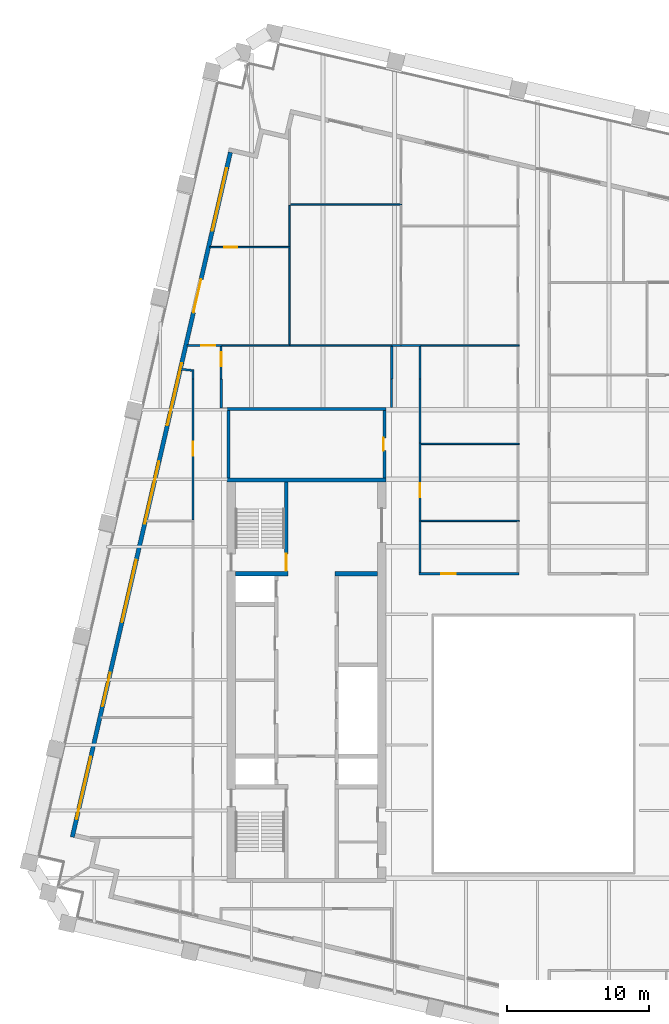
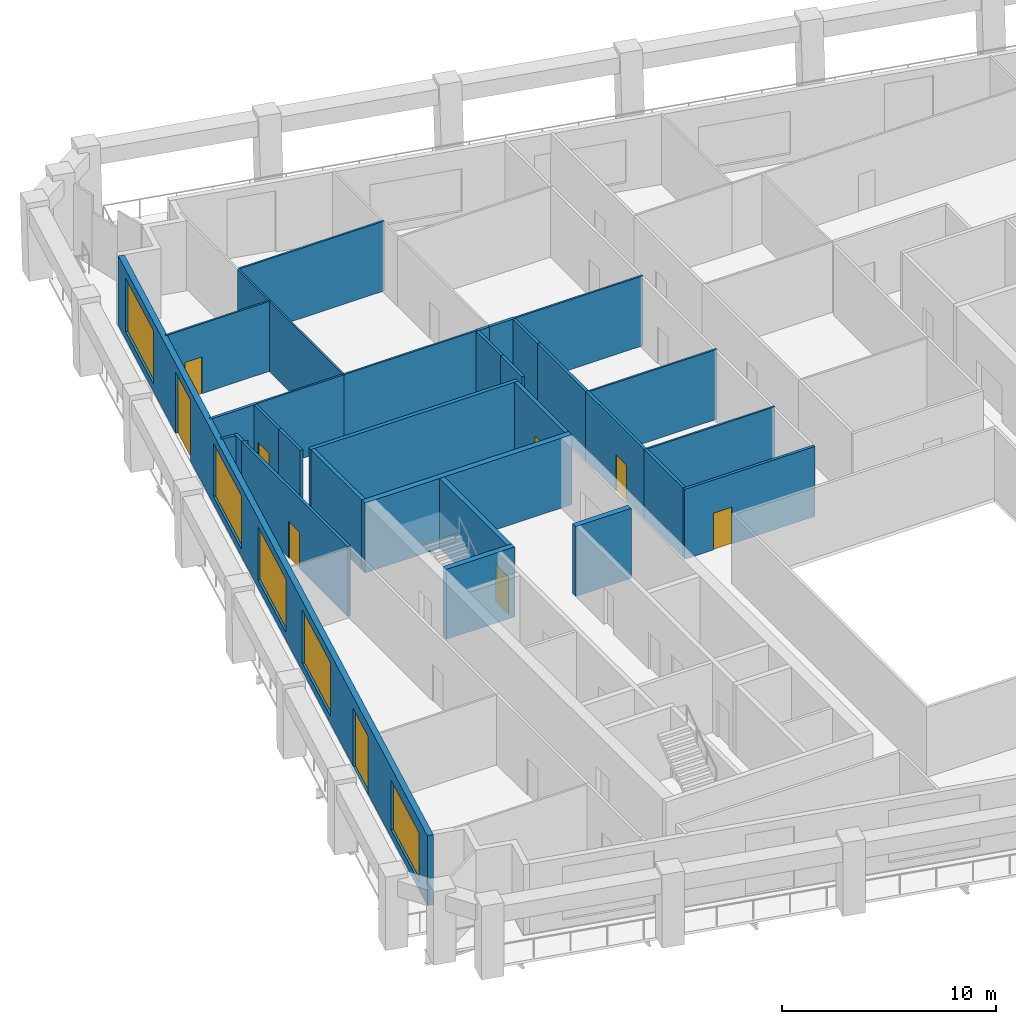
# One storey, part 7 of 10: 32 walls, 10 doors, 5 windows, 15 openings.
"""IFC4 building model written with IfcOpenShell, lengths in metres."""

from ifc_helpers import new_model, si_unit, direction, frame, frame_2d, origin, place, context, subcontext, project, spatial, rectangle, extrude, material, layer, layer_set, type_object, element, fill, save


model = new_model("IFC4")

# Units and contexts
model_context = context("Model", 3, precision=1e-05, world=origin(), true_north=direction((0.0, 1.0)))
body_context = subcontext(model_context, "Body", "Model", "MODEL_VIEW")
ifc_project = project(units=[si_unit("LENGTHUNIT", "METRE"), si_unit("AREAUNIT", "SQUARE_METRE"), si_unit("VOLUMEUNIT", "CUBIC_METRE"), si_unit("PLANEANGLEUNIT", "RADIAN"), si_unit("MASSUNIT", "GRAM", prefix="KILO")], contexts=[model_context])

# Site, building, storey
site_placement = place(None, origin())
site = spatial("IfcSite", under=ifc_project, at=site_placement, CompositionType="ELEMENT")
building_placement = place(site_placement, origin())
building = spatial("IfcBuilding", under=site, at=building_placement, Name="Ogive Exchange Tower", CompositionType="ELEMENT")
storey_placement = place(building_placement, frame((0.0, 0.0, 264.0)))
storey = spatial("IfcBuildingStorey", under=building, at=storey_placement, Name="L57", CompositionType="ELEMENT", Elevation=264.0)

# Wall
ifc_material_1 = material(Name="Gypsum board partition")
ifc_layer_1 = layer(ifc_material_1, 0.300048828125)
ifc_layer_set_1 = layer_set([ifc_layer_1], Name="Core room partition 300 gypsum")
wall_type_1 = type_object("IfcWallType", Name="Core room partition 300 gypsum", PredefinedType="PARTITIONING", material=ifc_layer_set_1)
wall_1_placement = place(storey_placement, frame((-14.0, 19.0, 0.0), z_axis=(0.0, 0.0, 1.0), x_axis=(1.0, 0.0, 0.0)))
element("IfcWall", 1, at=wall_1_placement, inside=storey, type_object=wall_type_1, Name="W row B room end wall 7", PredefinedType="PARTITIONING", context=body_context, shape_type="SweptSolid", body=[
    extrude(rectangle(XDim=3.0, YDim=0.300048828125, at=frame_2d((1.5, 0.0))), origin(), (0.0, 0.0, 1.0), 4.0),
])

# Wall, opening, door
ifc_material_2 = material(Name="Fire partition EI 60 150")
ifc_layer_2 = layer(ifc_material_2, 0.14990234375)
ifc_layer_set_2 = layer_set([ifc_layer_2], Name="Fire partition EI 60 150")
wall_type_2 = type_object("IfcWallType", Name="Fire partition EI 60 150", PredefinedType="PARTITIONING", material=ifc_layer_set_2)
wall_2_placement = place(storey_placement, frame((-24.428955078125, 35.070068359375, 0.0), z_axis=(0.0, 0.0, 1.0), x_axis=(1.0, 0.0, 0.0)))
wall_2 = element("IfcWall", 2, at=wall_2_placement, inside=storey, type_object=wall_type_2, Name="L57-PWL-002", PredefinedType="PARTITIONING", context=body_context, shape_type="SweptSolid", body=[
    extrude(rectangle(XDim=2.493896484375, YDim=0.14990234375, at=frame_2d((1.2470703125, 0.0))), origin(), (0.0, 0.0, 1.0), 4.0),
])
opening_1_placement = place(wall_2_placement, frame((1.01904296875, 0.0, 0.0)))
opening_1 = element("IfcOpeningElement", 3, at=opening_1_placement, cuts=wall_2, Name="Opening L57-I11", PredefinedType="OPENING", context=body_context, shape_type="SweptSolid", body=[
    extrude(rectangle(XDim=1.0, YDim=2.10009765625, at=frame_2d((0.5, 1.050048828125))), frame((0.0, 0.0849609375, 0.0), z_axis=(0.0, -1.0, 0.0), x_axis=(1.0, 0.0, 0.0)), (0.0, 0.0, 1.0), 0.169921875),
])
ifc_material_3 = material(Name="Fire door FD 30S 1000 x 2100")
door_type_1 = type_object("IfcDoorType", Name="Fire door FD 30S 1000 x 2100", OperationType="NOTDEFINED", PredefinedType="DOOR", material=ifc_material_3)
door_1_placement = place(opening_1_placement, origin())
door_1 = element("IfcDoor", 4, at=door_1_placement, inside=storey, type_object=door_type_1, Name="L57-IDR-011", ObjectType="DT3", OperationType="SINGLE_SWING_RIGHT", OverallHeight=2.10009765625, OverallWidth=1.0, PredefinedType="DOOR", context=body_context, shape_type="SweptSolid", body=[
    extrude(rectangle(XDim=1.0, YDim=2.10009765625, at=frame_2d((0.5, 1.050048828125))), frame((0.0, 0.02490234375, 0.0), z_axis=(0.0, -1.0, 0.0), x_axis=(1.0, 0.0, 0.0)), (0.0, 0.0, 1.0), 0.050048828125),
])
fill(opening_1, door_1)

wall_3_placement = place(storey_placement, frame((-24.0, 22.77001953125, 0.0), z_axis=(0.0, 0.0, 1.0), x_axis=(0.0, 1.0, 0.0)))
wall_3 = element("IfcWall", 5, at=wall_3_placement, inside=storey, type_object=wall_type_2, Name="L57-PWL-008", PredefinedType="PARTITIONING", context=body_context, shape_type="SweptSolid", body=[
    extrude(rectangle(XDim=9.929931640625, YDim=0.14990234375, at=frame_2d((4.96484375, 0.0))), origin(), (0.0, 0.0, 1.0), 4.0),
])
opening_2_placement = place(wall_3_placement, frame((4.530029296875, 0.0, 0.0)))
opening_2 = element("IfcOpeningElement", 6, at=opening_2_placement, cuts=wall_3, Name="Opening L57-I03", PredefinedType="OPENING", context=body_context, shape_type="SweptSolid", body=[
    extrude(rectangle(XDim=1.0, YDim=2.10009765625, at=frame_2d((0.5, 1.050048828125))), frame((0.0, 0.0849609375, 0.0), z_axis=(0.0, -1.0, 0.0), x_axis=(1.0, 0.0, 0.0)), (0.0, 0.0, 1.0), 0.169921875),
])
door_2_placement = place(opening_2_placement, origin())
door_2 = element("IfcDoor", 7, at=door_2_placement, inside=storey, type_object=door_type_1, Name="L57-IDR-003", ObjectType="DT3", OperationType="SINGLE_SWING_RIGHT", OverallHeight=2.10009765625, OverallWidth=1.0, PredefinedType="DOOR", context=body_context, shape_type="SweptSolid", body=[
    extrude(rectangle(XDim=1.0, YDim=2.10009765625, at=frame_2d((0.5, 1.050048828125))), frame((0.0, 0.02490234375, 0.0), z_axis=(0.0, -1.0, 0.0), x_axis=(1.0, 0.0, 0.0)), (0.0, 0.0, 1.0), 0.050048828125),
])
fill(opening_2, door_2)

# Walls
wall_4_placement = place(storey_placement, frame((-23.989990234375, 32.699951171875, 0.0), z_axis=(0.0, 0.0, 1.0), x_axis=(0.0, 1.0, 0.0)))
element("IfcWall", 8, at=wall_4_placement, inside=storey, type_object=wall_type_2, Name="L57-PWL-010", PredefinedType="PARTITIONING", context=body_context, shape_type="SweptSolid", body=[
    extrude(rectangle(XDim=0.68505859375, YDim=0.14990234375, at=frame_2d((0.342529296875, 0.0))), origin(), (0.0, 0.0, 1.0), 4.0),
])
wall_5_placement = place(storey_placement, frame((-24.06494140625, 33.319091796875, 0.0), z_axis=(0.0, 0.0, 1.0), x_axis=(-0.993611867789, 0.112851478456, 0.0)))
element("IfcWall", 9, at=wall_5_placement, inside=storey, type_object=wall_type_2, Name="L57-PWL-011", PredefinedType="PARTITIONING", context=body_context, shape_type="SweptSolid", body=[
    extrude(rectangle(XDim=0.7529296875, YDim=0.14990234375, at=frame_2d((0.37646484375, 0.0))), origin(), (0.0, 0.0, 1.0), 4.0),
])

# Wall, opening, door
wall_6_placement = place(storey_placement, frame((-22.010009765625, 34.9951171875, 0.0), z_axis=(0.0, 0.0, 1.0), x_axis=(0.0, -1.0, 0.0)))
wall_6 = element("IfcWall", 10, at=wall_6_placement, inside=storey, type_object=wall_type_2, Name="L57-PWL-014", PredefinedType="PARTITIONING", context=body_context, shape_type="SweptSolid", body=[
    extrude(rectangle(XDim=2.295166015625, YDim=0.14990234375, at=frame_2d((1.1474609375, 0.0))), origin(), (0.0, 0.0, 1.0), 4.0),
])
opening_3_placement = place(wall_6_placement, frame((0.39501953125, 0.0, 0.0)))
opening_3 = element("IfcOpeningElement", 11, at=opening_3_placement, cuts=wall_6, Name="Opening L57-I04", PredefinedType="OPENING", context=body_context, shape_type="SweptSolid", body=[
    extrude(rectangle(XDim=1.0, YDim=2.10009765625, at=frame_2d((0.5, 1.050048828125))), frame((0.0, 0.0849609375, 0.0), z_axis=(0.0, -1.0, 0.0), x_axis=(1.0, 0.0, 0.0)), (0.0, 0.0, 1.0), 0.169921875),
])
door_3_placement = place(opening_3_placement, origin())
door_3 = element("IfcDoor", 12, at=door_3_placement, inside=storey, type_object=door_type_1, Name="L57-IDR-004", ObjectType="DT3", OperationType="SINGLE_SWING_RIGHT", OverallHeight=2.10009765625, OverallWidth=1.0, PredefinedType="DOOR", context=body_context, shape_type="SweptSolid", body=[
    extrude(rectangle(XDim=1.0, YDim=2.10009765625, at=frame_2d((0.5, 1.050048828125))), frame((0.0, 0.02490234375, 0.0), z_axis=(0.0, -1.0, 0.0), x_axis=(1.0, 0.0, 0.0)), (0.0, 0.0, 1.0), 0.050048828125),
])
fill(opening_3, door_3)

# Walls
wall_7_placement = place(storey_placement, frame((-22.0, 32.699951171875, 0.0), z_axis=(0.0, 0.0, 1.0), x_axis=(0.0, -1.0, 0.0)))
element("IfcWall", 13, at=wall_7_placement, inside=storey, type_object=wall_type_2, Name="L57-PWL-016", PredefinedType="PARTITIONING", context=body_context, shape_type="SweptSolid", body=[
    extrude(rectangle(XDim=2.010009765625, YDim=0.14990234375, at=frame_2d((1.0048828125, 0.0))), origin(), (0.0, 0.0, 1.0), 4.0),
])
wall_8_placement = place(storey_placement, frame((-10.0, 30.699951171875, 0.0), z_axis=(0.0, 0.0, 1.0), x_axis=(0.0, 1.0, 0.0)))
element("IfcWall", 14, at=wall_8_placement, inside=storey, type_object=wall_type_2, Name="L57-PWL-024", PredefinedType="PARTITIONING", context=body_context, shape_type="SweptSolid", body=[
    extrude(rectangle(XDim=2.0, YDim=0.14990234375, at=frame_2d((1.0, 0.0))), origin(), (0.0, 0.0, 1.0), 4.0),
])
wall_9_placement = place(storey_placement, frame((-9.989990234375, 32.699951171875, 0.0), z_axis=(0.0, 0.0, 1.0), x_axis=(0.0, 1.0, 0.0)))
element("IfcWall", 15, at=wall_9_placement, inside=storey, type_object=wall_type_2, Name="L57-PWL-025", PredefinedType="PARTITIONING", context=body_context, shape_type="SweptSolid", body=[
    extrude(rectangle(XDim=2.320068359375, YDim=0.14990234375, at=frame_2d((1.16015625, 0.0))), origin(), (0.0, 0.0, 1.0), 4.0),
])
wall_10_placement = place(storey_placement, frame((-9.989990234375, 35.070068359375, 0.0), z_axis=(0.0, 0.0, 1.0), x_axis=(1.0, 0.0, 0.0)))
element("IfcWall", 16, at=wall_10_placement, inside=storey, type_object=wall_type_2, Name="L57-PWL-026", PredefinedType="PARTITIONING", context=body_context, shape_type="SweptSolid", body=[
    extrude(rectangle(XDim=0.64990234375, YDim=0.14990234375, at=frame_2d((0.324951171875, 0.0))), origin(), (0.0, 0.0, 1.0), 4.0),
])
wall_11_placement = place(storey_placement, frame((-9.340087890625, 35.070068359375, 0.0), z_axis=(0.0, 0.0, 1.0), x_axis=(1.0, 0.0, 0.0)))
element("IfcWall", 17, at=wall_11_placement, inside=storey, type_object=wall_type_2, Name="L57-PWL-028", PredefinedType="PARTITIONING", context=body_context, shape_type="SweptSolid", body=[
    extrude(rectangle(XDim=1.405029296875, YDim=0.14990234375, at=frame_2d((0.70263671875, 0.0))), origin(), (0.0, 0.0, 1.0), 4.0),
])
wall_12_placement = place(storey_placement, frame((-8.010009765625, 34.9951171875, 0.0), z_axis=(0.0, 0.0, 1.0), x_axis=(0.0, -1.0, 0.0)))
element("IfcWall", 18, at=wall_12_placement, inside=storey, type_object=wall_type_2, Name="L57-PWL-032", PredefinedType="PARTITIONING", context=body_context, shape_type="SweptSolid", body=[
    extrude(rectangle(XDim=2.295166015625, YDim=0.14990234375, at=frame_2d((1.1474609375, 0.0))), origin(), (0.0, 0.0, 1.0), 4.0),
])

# Wall, opening, door
wall_13_placement = place(storey_placement, frame((-8.074951171875, 19.0, 0.0), z_axis=(0.0, 0.0, 1.0), x_axis=(1.0, 0.0, 0.0)))
wall_13 = element("IfcWall", 19, at=wall_13_placement, inside=storey, type_object=wall_type_2, Name="L57-PWL-034", PredefinedType="PARTITIONING", context=body_context, shape_type="SweptSolid", body=[
    extrude(rectangle(XDim=7.050048828125, YDim=0.14990234375, at=frame_2d((3.52490234375, 0.0))), origin(), (0.0, 0.0, 1.0), 4.0),
])
opening_4_placement = place(wall_13_placement, frame((1.574951171875, 0.0, 0.0)))
opening_4 = element("IfcOpeningElement", 20, at=opening_4_placement, cuts=wall_13, Name="Opening L57-I02", PredefinedType="OPENING", context=body_context, shape_type="SweptSolid", body=[
    extrude(rectangle(XDim=1.0, YDim=2.10009765625, at=frame_2d((0.5, 1.050048828125))), frame((0.0, 0.0849609375, 0.0), z_axis=(0.0, -1.0, 0.0), x_axis=(1.0, 0.0, 0.0)), (0.0, 0.0, 1.0), 0.169921875),
])
door_4_placement = place(opening_4_placement, origin())
door_4 = element("IfcDoor", 21, at=door_4_placement, inside=storey, type_object=door_type_1, Name="L57-IDR-002", ObjectType="DT3", OperationType="SINGLE_SWING_RIGHT", OverallHeight=2.10009765625, OverallWidth=1.0, PredefinedType="DOOR", context=body_context, shape_type="SweptSolid", body=[
    extrude(rectangle(XDim=1.0, YDim=2.10009765625, at=frame_2d((0.5, 1.050048828125))), frame((0.0, 0.02490234375, 0.0), z_axis=(0.0, -1.0, 0.0), x_axis=(1.0, 0.0, 0.0)), (0.0, 0.0, 1.0), 0.050048828125),
])
fill(opening_4, door_4)

# Wall
wall_14_placement = place(storey_placement, frame((-8.0, 22.719970703125, 0.0), z_axis=(0.0, 0.0, 1.0), x_axis=(0.0, -1.0, 0.0)))
element("IfcWall", 22, at=wall_14_placement, inside=storey, type_object=wall_type_2, Name="L57-PWL-035", PredefinedType="PARTITIONING", context=body_context, shape_type="SweptSolid", body=[
    extrude(rectangle(XDim=3.64501953125, YDim=0.14990234375, at=frame_2d((1.822509765625, 0.0))), origin(), (0.0, 0.0, 1.0), 4.0),
])

# Wall, opening, door
wall_15_placement = place(storey_placement, frame((-8.0, 28.18994140625, 0.0), z_axis=(0.0, 0.0, 1.0), x_axis=(0.0, -1.0, 0.0)))
wall_15 = element("IfcWall", 23, at=wall_15_placement, inside=storey, type_object=wall_type_2, Name="L57-PWL-037", PredefinedType="PARTITIONING", context=body_context, shape_type="SweptSolid", body=[
    extrude(rectangle(XDim=5.469970703125, YDim=0.14990234375, at=frame_2d((2.73486328125, 0.0))), origin(), (0.0, 0.0, 1.0), 4.0),
])
opening_5_placement = place(wall_15_placement, frame((2.820068359375, 0.0, 0.0)))
opening_5 = element("IfcOpeningElement", 24, at=opening_5_placement, cuts=wall_15, Name="Opening L57-I05", PredefinedType="OPENING", context=body_context, shape_type="SweptSolid", body=[
    extrude(rectangle(XDim=1.0, YDim=2.10009765625, at=frame_2d((0.5, 1.050048828125))), frame((0.0, 0.0849609375, 0.0), z_axis=(0.0, -1.0, 0.0), x_axis=(1.0, 0.0, 0.0)), (0.0, 0.0, 1.0), 0.169921875),
])
door_5_placement = place(opening_5_placement, origin())
door_5 = element("IfcDoor", 25, at=door_5_placement, inside=storey, type_object=door_type_1, Name="L57-IDR-005", ObjectType="DT3", OperationType="SINGLE_SWING_LEFT", OverallHeight=2.10009765625, OverallWidth=1.0, PredefinedType="DOOR", context=body_context, shape_type="SweptSolid", body=[
    extrude(rectangle(XDim=1.0, YDim=2.10009765625, at=frame_2d((0.5, 1.050048828125))), frame((0.0, 0.02490234375, 0.0), z_axis=(0.0, -1.0, 0.0), x_axis=(1.0, 0.0, 0.0)), (0.0, 0.0, 1.0), 0.050048828125),
])
fill(opening_5, door_5)

# Wall
wall_16_placement = place(storey_placement, frame((-8.0, 32.699951171875, 0.0), z_axis=(0.0, 0.0, 1.0), x_axis=(0.0, -1.0, 0.0)))
element("IfcWall", 26, at=wall_16_placement, inside=storey, type_object=wall_type_2, Name="L57-PWL-039", PredefinedType="PARTITIONING", context=body_context, shape_type="SweptSolid", body=[
    extrude(rectangle(XDim=4.510009765625, YDim=0.14990234375, at=frame_2d((2.2548828125, 0.0))), origin(), (0.0, 0.0, 1.0), 4.0),
])

# Wall, openings, doors, windows
ifc_material_4 = material(Name="Precast concrete C40/50", Category="concrete")
ifc_layer_3 = layer(ifc_material_4, 0.300048828125)
ifc_layer_set_3 = layer_set([ifc_layer_3], Name="Limestone-faced wall 300")
wall_type_3 = type_object("IfcWallType", Name="Limestone-faced wall 300", PredefinedType="STANDARD", material=ifc_layer_set_3)
wall_17_placement = place(storey_placement, frame((-21.35888671875, 48.67822265625, 0.0), z_axis=(0.0, 0.0, 1.0), x_axis=(-0.224949198343, -0.974370493275, 0.0)))
wall_17 = element("IfcWall", 27, at=wall_17_placement, inside=storey, type_object=wall_type_3, Name="External wall W4", PredefinedType="STANDARD", context=body_context, shape_type="SweptSolid", body=[
    extrude(rectangle(XDim=49.5, YDim=0.300048828125, at=frame_2d((24.75, 0.0))), origin(), (0.0, 0.0, 1.0), 4.0),
])
opening_6_placement = place(wall_17_placement, frame((1.156982421875, 0.0, 0.449951171875)))
opening_6 = element("IfcOpeningElement", 28, at=opening_6_placement, cuts=wall_17, Name="Opening W1", PredefinedType="OPENING", context=body_context, shape_type="SweptSolid", body=[
    extrude(rectangle(XDim=4.5, YDim=3.050048828125, at=frame_2d((2.25, 1.52490234375))), frame((0.0, 0.159912109375, 0.0), z_axis=(0.0, -1.0, 0.0), x_axis=(1.0, 0.0, 0.0)), (0.0, 0.0, 1.0), 0.320068359375),
])
opening_7_placement = place(wall_17_placement, frame((9.17138671875, 0.0, 0.0)))
opening_7 = element("IfcOpeningElement", 29, at=opening_7_placement, cuts=wall_17, Name="Opening D1", PredefinedType="OPENING", context=body_context, shape_type="SweptSolid", body=[
    extrude(rectangle(XDim=2.39990234375, YDim=3.5, at=frame_2d((1.199951171875, 1.75))), frame((0.0, 0.159912109375, 0.0), z_axis=(0.0, -1.0, 0.0), x_axis=(1.0, 0.0, 0.0)), (0.0, 0.0, 1.0), 0.320068359375),
])
opening_8_placement = place(wall_17_placement, frame((15.235595703125, 0.0, 0.449951171875)))
opening_8 = element("IfcOpeningElement", 30, at=opening_8_placement, cuts=wall_17, Name="Opening W1", PredefinedType="OPENING", context=body_context, shape_type="SweptSolid", body=[
    extrude(rectangle(XDim=4.5, YDim=3.050048828125, at=frame_2d((2.25, 1.52490234375))), frame((0.0, 0.159912109375, 0.0), z_axis=(0.0, -1.0, 0.0), x_axis=(1.0, 0.0, 0.0)), (0.0, 0.0, 1.0), 0.320068359375),
])
opening_9_placement = place(wall_17_placement, frame((22.35009765625, 0.0, 0.449951171875)))
opening_9 = element("IfcOpeningElement", 31, at=opening_9_placement, cuts=wall_17, Name="Opening W1", PredefinedType="OPENING", context=body_context, shape_type="SweptSolid", body=[
    extrude(rectangle(XDim=4.5, YDim=3.050048828125, at=frame_2d((2.25, 1.52490234375))), frame((0.0, 0.159912109375, 0.0), z_axis=(0.0, -1.0, 0.0), x_axis=(1.0, 0.0, 0.0)), (0.0, 0.0, 1.0), 0.320068359375),
])
opening_10_placement = place(wall_17_placement, frame((29.464111328125, 0.0, 0.449951171875)))
opening_10 = element("IfcOpeningElement", 32, at=opening_10_placement, cuts=wall_17, Name="Opening W1", PredefinedType="OPENING", context=body_context, shape_type="SweptSolid", body=[
    extrude(rectangle(XDim=4.5, YDim=3.050048828125, at=frame_2d((2.25, 1.52490234375))), frame((0.0, 0.159912109375, 0.0), z_axis=(0.0, -1.0, 0.0), x_axis=(1.0, 0.0, 0.0)), (0.0, 0.0, 1.0), 0.320068359375),
])
opening_11_placement = place(wall_17_placement, frame((37.62841796875, 0.0, 0.0)))
opening_11 = element("IfcOpeningElement", 33, at=opening_11_placement, cuts=wall_17, Name="Opening D1C", PredefinedType="OPENING", context=body_context, shape_type="SweptSolid", body=[
    extrude(rectangle(XDim=2.39990234375, YDim=3.324951171875, at=frame_2d((1.199951171875, 1.66259765625))), frame((0.0, 0.159912109375, 0.0), z_axis=(0.0, -1.0, 0.0), x_axis=(1.0, 0.0, 0.0)), (0.0, 0.0, 1.0), 0.320068359375),
])
opening_12_placement = place(wall_17_placement, frame((43.69287109375, 0.0, 0.449951171875)))
opening_12 = element("IfcOpeningElement", 34, at=opening_12_placement, cuts=wall_17, Name="Opening W1E", PredefinedType="OPENING", context=body_context, shape_type="SweptSolid", body=[
    extrude(rectangle(XDim=4.5, YDim=2.824951171875, at=frame_2d((2.25, 1.41259765625))), frame((0.0, 0.159912109375, 0.0), z_axis=(0.0, -1.0, 0.0), x_axis=(1.0, 0.0, 0.0)), (0.0, 0.0, 1.0), 0.320068359375),
])
ifc_material_5 = material(Name="Clear glass in bronze frame", Category="glass")
door_type_2 = type_object("IfcDoorType", Name="Sliding loggia door 2400 x 3325", OperationType="DOUBLE_DOOR_SLIDING", PredefinedType="DOOR", material=ifc_material_5)
door_6_placement = place(opening_11_placement, origin())
door_6 = element("IfcDoor", 35, at=door_6_placement, inside=storey, type_object=door_type_2, Name="Loggia door W05", OperationType="DOUBLE_DOOR_SLIDING", OverallHeight=3.324951171875, OverallWidth=2.39990234375, PredefinedType="DOOR", context=body_context, shape_type="SweptSolid", body=[
    extrude(rectangle(XDim=2.39990234375, YDim=3.324951171875, at=frame_2d((1.199951171875, 1.66259765625))), frame((0.0, 0.02490234375, 0.0), z_axis=(0.0, -1.0, 0.0), x_axis=(1.0, 0.0, 0.0)), (0.0, 0.0, 1.0), 0.050048828125),
])
fill(opening_11, door_6)
door_type_3 = type_object("IfcDoorType", Name="Sliding loggia door 2400 x 3500", OperationType="DOUBLE_DOOR_SLIDING", PredefinedType="DOOR", material=ifc_material_5)
door_7_placement = place(opening_7_placement, origin())
door_7 = element("IfcDoor", 36, at=door_7_placement, inside=storey, type_object=door_type_3, Name="Loggia door W01", OperationType="DOUBLE_DOOR_SLIDING", OverallHeight=3.5, OverallWidth=2.39990234375, PredefinedType="DOOR", context=body_context, shape_type="SweptSolid", body=[
    extrude(rectangle(XDim=2.39990234375, YDim=3.5, at=frame_2d((1.199951171875, 1.75))), frame((0.0, 0.02490234375, 0.0), z_axis=(0.0, -1.0, 0.0), x_axis=(1.0, 0.0, 0.0)), (0.0, 0.0, 1.0), 0.050048828125),
])
fill(opening_7, door_7)
window_type_1 = type_object("IfcWindowType", Name="Twin lancet window 4500 x 2825", PartitioningType="DOUBLE_PANEL_VERTICAL", PredefinedType="WINDOW", material=ifc_material_5)
window_1_placement = place(opening_12_placement, origin())
window_1 = element("IfcWindow", 37, at=window_1_placement, inside=storey, type_object=window_type_1, Name="Window W06", OverallHeight=2.824951171875, OverallWidth=4.5, PartitioningType="DOUBLE_PANEL_VERTICAL", PredefinedType="WINDOW", context=body_context, shape_type="SweptSolid", body=[
    extrude(rectangle(XDim=4.5, YDim=2.824951171875, at=frame_2d((2.25, 1.41259765625))), frame((0.0, 0.030029296875, 0.0), z_axis=(0.0, -1.0, 0.0), x_axis=(1.0, 0.0, 0.0)), (0.0, 0.0, 1.0), 0.06005859375),
])
fill(opening_12, window_1)
window_type_2 = type_object("IfcWindowType", Name="Twin lancet window 4500 x 3050", PartitioningType="DOUBLE_PANEL_VERTICAL", PredefinedType="WINDOW", material=ifc_material_5)
window_2_placement = place(opening_6_placement, origin())
window_2 = element("IfcWindow", 38, at=window_2_placement, inside=storey, type_object=window_type_2, Name="Window W00", OverallHeight=3.050048828125, OverallWidth=4.5, PartitioningType="DOUBLE_PANEL_VERTICAL", PredefinedType="WINDOW", context=body_context, shape_type="SweptSolid", body=[
    extrude(rectangle(XDim=4.5, YDim=3.050048828125, at=frame_2d((2.25, 1.52490234375))), frame((0.0, 0.030029296875, 0.0), z_axis=(0.0, -1.0, 0.0), x_axis=(1.0, 0.0, 0.0)), (0.0, 0.0, 1.0), 0.06005859375),
])
fill(opening_6, window_2)
window_3_placement = place(opening_8_placement, origin())
window_3 = element("IfcWindow", 39, at=window_3_placement, inside=storey, type_object=window_type_2, Name="Window W02", OverallHeight=3.050048828125, OverallWidth=4.5, PartitioningType="DOUBLE_PANEL_VERTICAL", PredefinedType="WINDOW", context=body_context, shape_type="SweptSolid", body=[
    extrude(rectangle(XDim=4.5, YDim=3.050048828125, at=frame_2d((2.25, 1.52490234375))), frame((0.0, 0.030029296875, 0.0), z_axis=(0.0, -1.0, 0.0), x_axis=(1.0, 0.0, 0.0)), (0.0, 0.0, 1.0), 0.06005859375),
])
fill(opening_8, window_3)
window_4_placement = place(opening_9_placement, origin())
window_4 = element("IfcWindow", 40, at=window_4_placement, inside=storey, type_object=window_type_2, Name="Window W03", OverallHeight=3.050048828125, OverallWidth=4.5, PartitioningType="DOUBLE_PANEL_VERTICAL", PredefinedType="WINDOW", context=body_context, shape_type="SweptSolid", body=[
    extrude(rectangle(XDim=4.5, YDim=3.050048828125, at=frame_2d((2.25, 1.52490234375))), frame((0.0, 0.030029296875, 0.0), z_axis=(0.0, -1.0, 0.0), x_axis=(1.0, 0.0, 0.0)), (0.0, 0.0, 1.0), 0.06005859375),
])
fill(opening_9, window_4)
window_5_placement = place(opening_10_placement, origin())
window_5 = element("IfcWindow", 41, at=window_5_placement, inside=storey, type_object=window_type_2, Name="Window W04", OverallHeight=3.050048828125, OverallWidth=4.5, PartitioningType="DOUBLE_PANEL_VERTICAL", PredefinedType="WINDOW", context=body_context, shape_type="SweptSolid", body=[
    extrude(rectangle(XDim=4.5, YDim=3.050048828125, at=frame_2d((2.25, 1.52490234375))), frame((0.0, 0.030029296875, 0.0), z_axis=(0.0, -1.0, 0.0), x_axis=(1.0, 0.0, 0.0)), (0.0, 0.0, 1.0), 0.06005859375),
])
fill(opening_10, window_5)

# Wall, opening, door
ifc_material_6 = material(Name="Partition 100 gypsum")
ifc_layer_4 = layer(ifc_material_6, 0.10009765625)
ifc_layer_set_4 = layer_set([ifc_layer_4], Name="Partition 100 gypsum")
wall_type_4 = type_object("IfcWallType", Name="Partition 100 gypsum", PredefinedType="PARTITIONING", material=ifc_layer_set_4)
wall_18_placement = place(storey_placement, frame((-22.8291015625, 42.0, 0.0), z_axis=(0.0, 0.0, 1.0), x_axis=(1.0, 0.0, 0.0)))
wall_18 = element("IfcWall", 42, at=wall_18_placement, inside=storey, type_object=wall_type_4, Name="L57-PWL-012", PredefinedType="PARTITIONING", context=body_context, shape_type="SweptSolid", body=[
    extrude(rectangle(XDim=5.689208984375, YDim=0.10009765625, at=frame_2d((2.8447265625, 0.0))), origin(), (0.0, 0.0, 1.0), 4.0),
])
opening_13_placement = place(wall_18_placement, frame((1.0390625, 0.0, 0.0)))
opening_13 = element("IfcOpeningElement", 43, at=opening_13_placement, cuts=wall_18, Name="Opening L57-I12", PredefinedType="OPENING", context=body_context, shape_type="SweptSolid", body=[
    extrude(rectangle(XDim=0.89990234375, YDim=2.10009765625, at=frame_2d((0.449951171875, 1.050048828125))), frame((0.0, 0.06005859375, 0.0), z_axis=(0.0, -1.0, 0.0), x_axis=(1.0, 0.0, 0.0)), (0.0, 0.0, 1.0), 0.1201171875),
])
ifc_material_7 = material(Name="Door 900 x 2100")
door_type_4 = type_object("IfcDoorType", Name="Door 900 x 2100", OperationType="NOTDEFINED", PredefinedType="DOOR", material=ifc_material_7)
door_8_placement = place(opening_13_placement, origin())
door_8 = element("IfcDoor", 44, at=door_8_placement, inside=storey, type_object=door_type_4, Name="L57-IDR-012", ObjectType="DT1", OperationType="SINGLE_SWING_RIGHT", OverallHeight=2.10009765625, OverallWidth=0.89990234375, PredefinedType="DOOR", context=body_context, shape_type="SweptSolid", body=[
    extrude(rectangle(XDim=0.89990234375, YDim=2.10009765625, at=frame_2d((0.449951171875, 1.050048828125))), frame((0.0, 0.02490234375, 0.0), z_axis=(0.0, -1.0, 0.0), x_axis=(1.0, 0.0, 0.0)), (0.0, 0.0, 1.0), 0.050048828125),
])
fill(opening_13, door_8)

# Walls
wall_19_placement = place(storey_placement, frame((-21.93505859375, 35.070068359375, 0.0), z_axis=(0.0, 0.0, 1.0), x_axis=(1.0, 0.0, 0.0)))
element("IfcWall", 45, at=wall_19_placement, inside=storey, type_object=wall_type_4, Name="L57-PWL-015", PredefinedType="PARTITIONING", context=body_context, shape_type="SweptSolid", body=[
    extrude(rectangle(XDim=4.7451171875, YDim=0.10009765625, at=frame_2d((2.37255859375, 0.0))), origin(), (0.0, 0.0, 1.0), 4.0),
])
wall_20_placement = place(storey_placement, frame((-17.18994140625, 35.1201171875, 0.0), z_axis=(0.0, 0.0, 1.0), x_axis=(0.0, 1.0, 0.0)))
element("IfcWall", 46, at=wall_20_placement, inside=storey, type_object=wall_type_4, Name="L57-PWL-017", PredefinedType="PARTITIONING", context=body_context, shape_type="SweptSolid", body=[
    extrude(rectangle(XDim=6.829833984375, YDim=0.10009765625, at=frame_2d((3.4150390625, 0.0))), origin(), (0.0, 0.0, 1.0), 4.0),
])
wall_21_placement = place(storey_placement, frame((-17.18994140625, 35.070068359375, 0.0), z_axis=(0.0, 0.0, 1.0), x_axis=(1.0, 0.0, 0.0)))
element("IfcWall", 47, at=wall_21_placement, inside=storey, type_object=wall_type_4, Name="L57-PWL-018", PredefinedType="PARTITIONING", context=body_context, shape_type="SweptSolid", body=[
    extrude(rectangle(XDim=7.199951171875, YDim=0.10009765625, at=frame_2d((3.60009765625, 0.0))), origin(), (0.0, 0.0, 1.0), 4.0),
])
wall_22_placement = place(storey_placement, frame((-17.18994140625, 42.050048828125, 0.0), z_axis=(0.0, 0.0, 1.0), x_axis=(0.0, 1.0, 0.0)))
element("IfcWall", 48, at=wall_22_placement, inside=storey, type_object=wall_type_4, Name="L57-PWL-019", PredefinedType="PARTITIONING", context=body_context, shape_type="SweptSolid", body=[
    extrude(rectangle(XDim=2.89990234375, YDim=0.10009765625, at=frame_2d((1.449951171875, 0.0))), origin(), (0.0, 0.0, 1.0), 4.0),
])
wall_23_placement = place(storey_placement, frame((-17.139892578125, 45.0, 0.0), z_axis=(0.0, 0.0, 1.0), x_axis=(1.0, 0.0, 0.0)))
element("IfcWall", 49, at=wall_23_placement, inside=storey, type_object=wall_type_4, Name="L57-PWL-021", PredefinedType="PARTITIONING", context=body_context, shape_type="SweptSolid", body=[
    extrude(rectangle(XDim=7.849853515625, YDim=0.10009765625, at=frame_2d((3.9248046875, 0.0))), origin(), (0.0, 0.0, 1.0), 4.0),
])
wall_24_placement = place(storey_placement, frame((-7.93505859375, 35.070068359375, 0.0), z_axis=(0.0, 0.0, 1.0), x_axis=(1.0, 0.0, 0.0)))
element("IfcWall", 50, at=wall_24_placement, inside=storey, type_object=wall_type_4, Name="L57-PWL-033", PredefinedType="PARTITIONING", context=body_context, shape_type="SweptSolid", body=[
    extrude(rectangle(XDim=6.91015625, YDim=0.10009765625, at=frame_2d((3.455078125, 0.0))), origin(), (0.0, 0.0, 1.0), 4.0),
])
for number, where, z_axis, x_axis, name in (
    (51, (-7.925048828125, 22.719970703125, 0.0), (0.0, 0.0, 1.0), (1.0, 0.0, 0.0), "L57-PWL-036"),
    (52, (-7.925048828125, 28.139892578125, 0.0), (0.0, 0.0, 1.0), (1.0, 0.0, 0.0), "L57-PWL-038"),
):
    element("IfcWall", number, at=place(storey_placement, frame(where, z_axis=z_axis, x_axis=x_axis)), inside=storey, type_object=wall_type_4, Name=name, PredefinedType="PARTITIONING", context=body_context, shape_type="SweptSolid", body=[
        extrude(rectangle(XDim=6.900146484375, YDim=0.10009765625, at=frame_2d((3.4501953125, 0.0))), origin(), (0.0, 0.0, 1.0), 4.0),
    ])
ifc_material_8 = material(Name="Concrete C70/85", Category="concrete")
ifc_layer_5 = layer(ifc_material_8, 0.199951171875)
ifc_layer_set_5 = layer_set([ifc_layer_5], Name="RC core wall 200 C70/85")
wall_type_5 = type_object("IfcWallType", Name="RC core wall 200 C70/85", PredefinedType="SHEAR", material=ifc_layer_set_5)
wall_25_placement = place(storey_placement, frame((-21.5, 25.75, 0.0), z_axis=(0.0, 0.0, 1.0), x_axis=(0.0, 1.0, 0.0)))
element("IfcWall", 53, at=wall_25_placement, inside=storey, type_object=wall_type_5, Name="W annex N outer wall", PredefinedType="SHEAR", context=body_context, shape_type="SweptSolid", body=[
    extrude(rectangle(XDim=4.75, YDim=0.199951171875, at=frame_2d((2.375, 0.0))), origin(), (0.0, 0.0, 1.0), 4.0),
])

# Wall, opening, door
wall_26_placement = place(storey_placement, frame((-10.5, 25.75, 0.0), z_axis=(0.0, 0.0, 1.0), x_axis=(0.0, 1.0, 0.0)))
wall_26 = element("IfcWall", 54, at=wall_26_placement, inside=storey, type_object=wall_type_5, Name="W annex N inner wall", PredefinedType="SHEAR", context=body_context, shape_type="SweptSolid", body=[
    extrude(rectangle(XDim=4.75, YDim=0.199951171875, at=frame_2d((2.375, 0.0))), origin(), (0.0, 0.0, 1.0), 4.0),
])
opening_14_placement = place(wall_26_placement, frame((1.925048828125, 0.0, 0.0)))
opening_14 = element("IfcOpeningElement", 55, at=opening_14_placement, cuts=wall_26, Name="Opening L57-C18", PredefinedType="OPENING", context=body_context, shape_type="SweptSolid", body=[
    extrude(rectangle(XDim=0.89990234375, YDim=2.10009765625, at=frame_2d((0.449951171875, 1.050048828125))), frame((0.0, 0.10986328125, 0.0), z_axis=(0.0, -1.0, 0.0), x_axis=(1.0, 0.0, 0.0)), (0.0, 0.0, 1.0), 0.219970703125),
])
ifc_material_9 = material(Name="Steel fire door", Category="steel")
door_type_5 = type_object("IfcDoorType", Name="Riser door FD60 900 x 2100", OperationType="NOTDEFINED", PredefinedType="DOOR", material=ifc_material_9)
door_9_placement = place(opening_14_placement, frame((0.89990234375, 0.14990234375, 0.0), z_axis=(0.0, 0.0, 1.0), x_axis=(-1.0, 0.0, 0.0)))
door_9 = element("IfcDoor", 56, at=door_9_placement, inside=storey, type_object=door_type_5, Name="Riser door", ObjectType="CD2", OperationType="SINGLE_SWING_RIGHT", OverallHeight=2.10009765625, OverallWidth=0.89990234375, PredefinedType="DOOR", context=body_context, shape_type="SweptSolid", body=[
    extrude(rectangle(XDim=0.89990234375, YDim=2.10009765625, at=frame_2d((0.449951171875, 1.050048828125))), frame((0.0, 0.10009765625, 0.0), z_axis=(0.0, -1.0, 0.0), x_axis=(1.0, 0.0, 0.0)), (0.0, 0.0, 1.0), 0.050048828125),
])
fill(opening_14, door_9)

# Wall
wall_27_placement = place(storey_placement, frame((-21.60009765625, 30.60009765625, 0.0), z_axis=(0.0, 0.0, 1.0), x_axis=(1.0, 0.0, 0.0)))
element("IfcWall", 57, at=wall_27_placement, inside=storey, type_object=wall_type_5, Name="W annex N end wall", PredefinedType="SHEAR", context=body_context, shape_type="SweptSolid", body=[
    extrude(rectangle(XDim=11.2001953125, YDim=0.199951171875, at=frame_2d((5.60009765625, 0.0))), origin(), (0.0, 0.0, 1.0), 4.0),
])

# Wall, opening, door
ifc_layer_6 = layer(ifc_material_8, 0.25)
ifc_layer_set_6 = layer_set([ifc_layer_6], Name="RC core wall 250 C70/85")
wall_type_6 = type_object("IfcWallType", Name="RC core wall 250 C70/85", PredefinedType="SHEAR", material=ifc_layer_set_6)
wall_28_placement = place(storey_placement, frame((-17.425048828125, 19.14990234375, 0.0), z_axis=(0.0, 0.0, 1.0), x_axis=(0.0, 1.0, 0.0)))
wall_28 = element("IfcWall", 58, at=wall_28_placement, inside=storey, type_object=wall_type_6, Name="W stair N front wall", PredefinedType="SHEAR", context=body_context, shape_type="SweptSolid", body=[
    extrude(rectangle(XDim=6.300048828125, YDim=0.25, at=frame_2d((3.14990234375, 0.0))), origin(), (0.0, 0.0, 1.0), 4.0),
])
opening_15_placement = place(wall_28_placement, frame((0.050048828125, 0.0, 0.0)))
opening_15 = element("IfcOpeningElement", 59, at=opening_15_placement, cuts=wall_28, Name="Opening L57-C14", PredefinedType="OPENING", context=body_context, shape_type="SweptSolid", body=[
    extrude(rectangle(XDim=1.199951171875, YDim=2.10009765625, at=frame_2d((0.60009765625, 1.050048828125))), frame((0.0, 0.135009765625, 0.0), z_axis=(0.0, -1.0, 0.0), x_axis=(1.0, 0.0, 0.0)), (0.0, 0.0, 1.0), 0.27001953125),
])
door_type_6 = type_object("IfcDoorType", Name="Stair door FD90 1200 x 2100", OperationType="NOTDEFINED", PredefinedType="DOOR", material=ifc_material_9)
door_10_placement = place(opening_15_placement, origin())
door_10 = element("IfcDoor", 60, at=door_10_placement, inside=storey, type_object=door_type_6, Name="Stair door", ObjectType="CD5", OperationType="SINGLE_SWING_RIGHT", OverallHeight=2.10009765625, OverallWidth=1.199951171875, PredefinedType="DOOR", context=body_context, shape_type="SweptSolid", body=[
    extrude(rectangle(XDim=1.199951171875, YDim=2.10009765625, at=frame_2d((0.60009765625, 1.050048828125))), frame((0.0, 0.02490234375, 0.0), z_axis=(0.0, -1.0, 0.0), x_axis=(1.0, 0.0, 0.0)), (0.0, 0.0, 1.0), 0.050048828125),
])
fill(opening_15, door_10)

# Walls
ifc_layer_7 = layer(ifc_material_8, 0.300048828125)
ifc_layer_set_7 = layer_set([ifc_layer_7], Name="RC core wall 300 C70/85")
wall_type_7 = type_object("IfcWallType", Name="RC core wall 300 C70/85", PredefinedType="SHEAR", material=ifc_layer_set_7)
wall_29_placement = place(storey_placement, frame((-21.60009765625, 25.60009765625, 0.0), z_axis=(0.0, 0.0, 1.0), x_axis=(1.0, 0.0, 0.0)))
element("IfcWall", 61, at=wall_29_placement, inside=storey, type_object=wall_type_7, Name="W north end wall", PredefinedType="SHEAR", context=body_context, shape_type="SweptSolid", body=[
    extrude(rectangle(XDim=11.2001953125, YDim=0.300048828125, at=frame_2d((5.60009765625, 0.0))), origin(), (0.0, 0.0, 1.0), 4.0),
])
wall_30_placement = place(storey_placement, frame((-21.0, 19.0, 0.0), z_axis=(0.0, 0.0, 1.0), x_axis=(1.0, 0.0, 0.0)))
element("IfcWall", 62, at=wall_30_placement, inside=storey, type_object=wall_type_7, Name="W stair N south wall", PredefinedType="SHEAR", context=body_context, shape_type="SweptSolid", body=[
    extrude(rectangle(XDim=3.699951171875, YDim=0.300048828125, at=frame_2d((1.85009765625, 0.0))), origin(), (0.0, 0.0, 1.0), 4.0),
])

save(model, "model.ifc")
